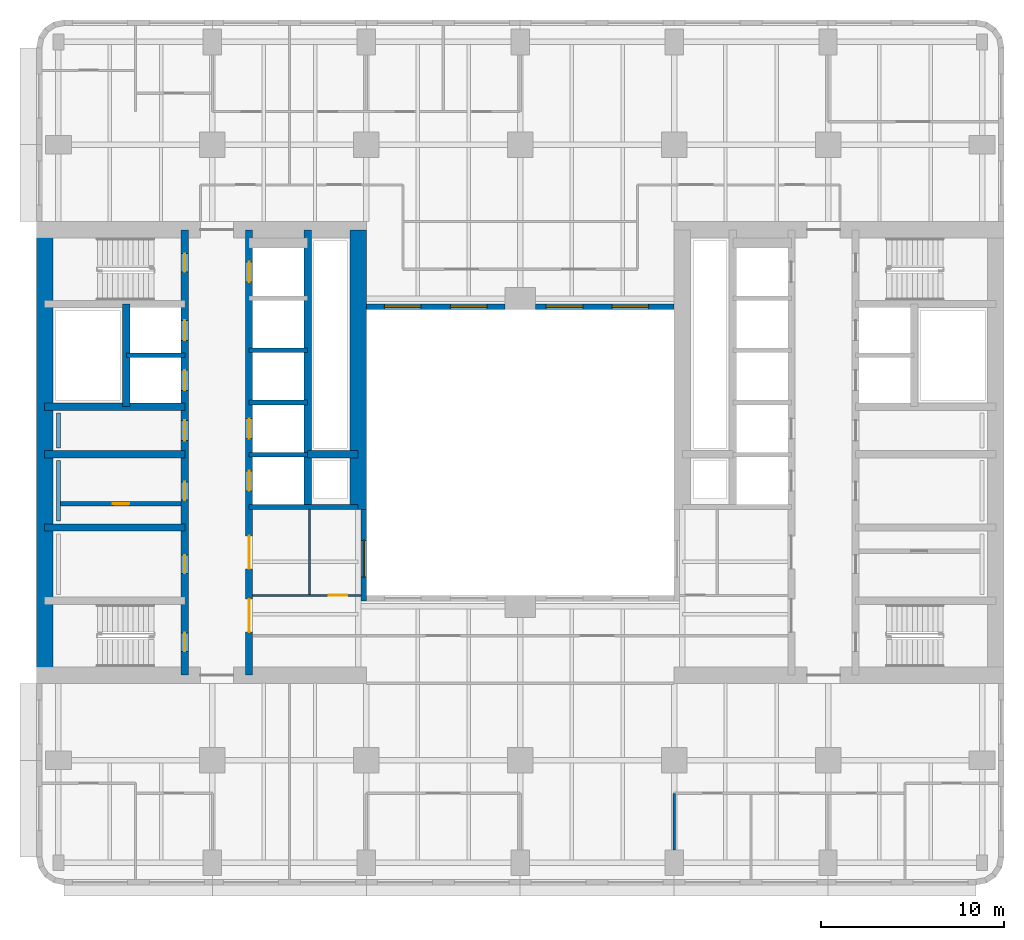
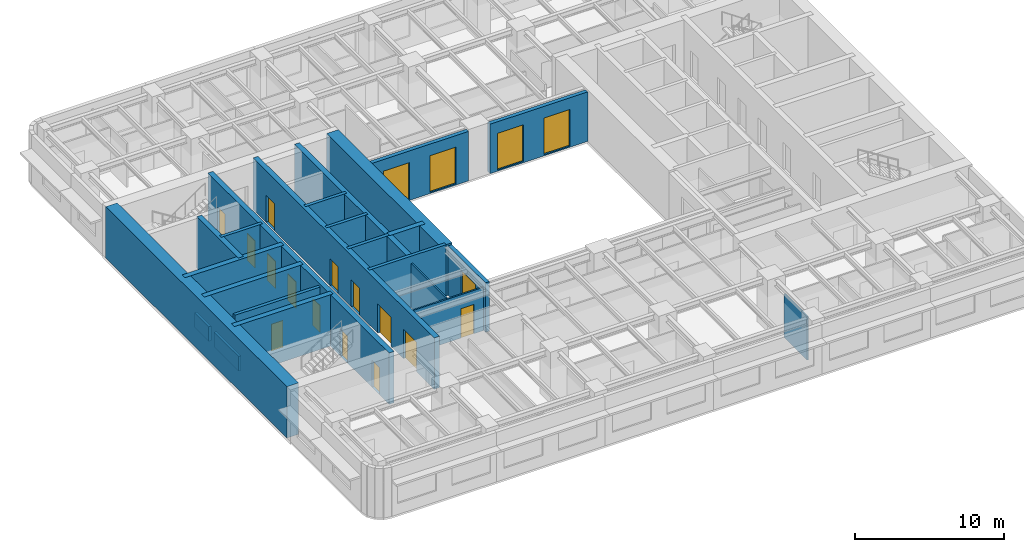
# One storey, part 4 of 11: 24 walls, 14 doors, 5 windows, 19 openings.
"""IFC4 building model written with IfcOpenShell, lengths in metres."""

from ifc_helpers import new_model, si_unit, direction, frame, frame_2d, origin, place, context, subcontext, project, spatial, rectangle, extrude, material, layer, layer_set, type_object, element, fill, save


model = new_model("IFC4")

# Units and contexts
model_context = context("Model", 3, precision=1e-05, world=origin(), true_north=direction((0.0, 1.0)))
body_context = subcontext(model_context, "Body", "Model", "MODEL_VIEW")
ifc_project = project(units=[si_unit("LENGTHUNIT", "METRE"), si_unit("AREAUNIT", "SQUARE_METRE"), si_unit("VOLUMEUNIT", "CUBIC_METRE"), si_unit("PLANEANGLEUNIT", "RADIAN"), si_unit("MASSUNIT", "GRAM", prefix="KILO")], contexts=[model_context])

# Site, building, storey
site_placement = place(None, origin())
site = spatial("IfcSite", under=ifc_project, at=site_placement, CompositionType="ELEMENT")
building_placement = place(site_placement, origin())
building = spatial("IfcBuilding", under=site, at=building_placement, Name="Claustro Exchange Tower", CompositionType="ELEMENT")
storey_placement = place(building_placement, frame((0.0, 0.0, 130.199951171875)))
storey = spatial("IfcBuildingStorey", under=building, at=storey_placement, Name="L29", CompositionType="ELEMENT", Elevation=130.199951171875)

# Wall, opening, door
ifc_material_1 = material(Name="Laminated glass in aluminium frame", Category="aluminium")
ifc_layer_1 = layer(ifc_material_1, 0.1201171875)
ifc_layer_set_1 = layer_set([ifc_layer_1], Name="Laminated glass in aluminium frame")
wall_type_1 = type_object("IfcWallType", Name="P2 120 glazed partition", PredefinedType="PARTITIONING", material=ifc_layer_set_1)
wall_1_placement = place(storey_placement, frame((10.597900390625, 17.39990234375, 0.0), z_axis=(0.0, 0.0, 1.0), x_axis=(1.0, 0.0, 0.0)))
wall_1 = element("IfcWall", 1, at=wall_1_placement, inside=storey, type_object=wall_type_1, Name="Partition P2 L29", PredefinedType="PARTITIONING", context=body_context, shape_type="SweptSolid", body=[
    extrude(rectangle(XDim=5.904052734375, YDim=0.1201171875, at=frame_2d((2.9521484375, 0.0))), origin(), (0.0, 0.0, 1.0), 3.550048828125),
])
opening_1_placement = place(wall_1_placement, frame((4.152099609375, 0.0, 0.0)))
opening_1 = element("IfcOpeningElement", 2, at=opening_1_placement, cuts=wall_1, Name="Opening D7", PredefinedType="OPENING", context=body_context, shape_type="SweptSolid", body=[
    extrude(rectangle(XDim=1.0, YDim=2.39990234375, at=frame_2d((0.5, 1.199951171875))), frame((0.0, 0.070068359375, 0.0), z_axis=(0.0, -1.0, 0.0), x_axis=(1.0, 0.0, 0.0)), (0.0, 0.0, 1.0), 0.14013671875),
])
ifc_material_2 = material(Name="Glass door in aluminium frame", Category="aluminium")
door_type_1 = type_object("IfcDoorType", Name="D7 1000 x 2400 glazed door", OperationType="SINGLE_SWING_LEFT", PredefinedType="DOOR", material=ifc_material_2)
door_1_placement = place(opening_1_placement, origin())
door_1 = element("IfcDoor", 3, at=door_1_placement, inside=storey, type_object=door_type_1, Name="Door D7 L29", OperationType="SINGLE_SWING_RIGHT", OverallHeight=2.39990234375, OverallWidth=1.0, PredefinedType="DOOR", context=body_context, shape_type="SweptSolid", body=[
    extrude(rectangle(XDim=1.0, YDim=2.39990234375, at=frame_2d((0.5, 1.199951171875))), frame((0.0, 0.02490234375, 0.0), z_axis=(0.0, -1.0, 0.0), x_axis=(1.0, 0.0, 0.0)), (0.0, 0.0, 1.0), 0.050048828125),
])
fill(opening_1, door_1)

# Walls
wall_2_placement = place(storey_placement, frame((13.699951171875, 17.4580078125, 0.0), z_axis=(0.0, 0.0, 1.0), x_axis=(0.0, 1.0, 0.0)))
element("IfcWall", 4, at=wall_2_placement, inside=storey, type_object=wall_type_1, Name="Partition P2 L29", PredefinedType="PARTITIONING", context=body_context, shape_type="SweptSolid", body=[
    extrude(rectangle(XDim=4.64404296875, YDim=0.1201171875, at=frame_2d((2.322021484375, 0.0))), origin(), (0.0, 0.0, 1.0), 3.60009765625),
])
wall_3_placement = place(storey_placement, frame((33.60009765625, 3.4990234375, 0.0), z_axis=(0.0, 0.0, 1.0), x_axis=(0.0, 1.0, 0.0)))
element("IfcWall", 5, at=wall_3_placement, inside=storey, type_object=wall_type_1, Name="Partition P2 L29", PredefinedType="PARTITIONING", context=body_context, shape_type="SweptSolid", body=[
    extrude(rectangle(XDim=3.10107421875, YDim=0.1201171875, at=frame_2d((1.550537109375, 0.0))), origin(), (0.0, 0.0, 1.0), 3.550048828125),
])

# Wall, opening, door
ifc_material_3 = material(Name="Concrete blockwork, rendered", Category="masonry")
ifc_layer_2 = layer(ifc_material_3, 0.25)
ifc_layer_set_2 = layer_set([ifc_layer_2], Name="Concrete blockwork, rendered")
wall_type_2 = type_object("IfcWallType", Name="P4 250 blockwork wall", PredefinedType="PARTITIONING", material=ifc_layer_set_2)
wall_4_placement = place(storey_placement, frame((0.10009765625, 22.39990234375, 0.0), z_axis=(0.0, 0.0, 1.0), x_axis=(1.0, 0.0, 0.0)))
wall_4 = element("IfcWall", 6, at=wall_4_placement, inside=storey, type_object=wall_type_2, Name="Partition P4 L29", PredefinedType="PARTITIONING", context=body_context, shape_type="SweptSolid", body=[
    extrude(rectangle(XDim=6.599853515625, YDim=0.25, at=frame_2d((3.2998046875, 0.0))), origin(), (0.0, 0.0, 1.0), 4.0),
])
opening_2_placement = place(wall_4_placement, frame((2.875, 0.0, 0.0)))
opening_2 = element("IfcOpeningElement", 7, at=opening_2_placement, cuts=wall_4, Name="Opening D5", PredefinedType="OPENING", context=body_context, shape_type="SweptSolid", body=[
    extrude(rectangle(XDim=0.89990234375, YDim=2.199951171875, at=frame_2d((0.449951171875, 1.10009765625))), frame((0.0, 0.135009765625, 0.0), z_axis=(0.0, -1.0, 0.0), x_axis=(1.0, 0.0, 0.0)), (0.0, 0.0, 1.0), 0.27001953125),
])
ifc_material_4 = material(Name="Steel door, painted", Category="steel")
door_type_2 = type_object("IfcDoorType", Name="D5 900 x 2200 store door", OperationType="SINGLE_SWING_LEFT", PredefinedType="DOOR", material=ifc_material_4)
door_2_placement = place(opening_2_placement, frame((0.89990234375, 0.0, 0.0), z_axis=(0.0, 0.0, 1.0), x_axis=(-1.0, 0.0, 0.0)))
door_2 = element("IfcDoor", 8, at=door_2_placement, inside=storey, type_object=door_type_2, Name="Store door D5 L29", OperationType="SINGLE_SWING_RIGHT", OverallHeight=2.199951171875, OverallWidth=0.89990234375, PredefinedType="DOOR", context=body_context, shape_type="SweptSolid", body=[
    extrude(rectangle(XDim=0.89990234375, YDim=2.199951171875, at=frame_2d((0.449951171875, 1.10009765625))), frame((0.0, 0.02490234375, 0.0), z_axis=(0.0, -1.0, 0.0), x_axis=(1.0, 0.0, 0.0)), (0.0, 0.0, 1.0), 0.050048828125),
])
fill(opening_2, door_2)

# Wall, opening, window
ifc_material_5 = material(Name="Concrete HA-40 (C40/50), precast, white cement, acid-etched", Category="concrete")
ifc_layer_3 = layer(ifc_material_5, 0.300048828125)
ifc_layer_set_3 = layer_set([ifc_layer_3], Name="Concrete HA-40 (C40/50), precast, white cement, acid-etched")
wall_type_3 = type_object("IfcWallType", Name="PC1 300 precast concrete pier panel", PredefinedType="SOLIDWALL", material=ifc_layer_set_3)
wall_5_placement = place(storey_placement, frame((16.64990234375, 17.10009765625, 0.0), z_axis=(0.0, 0.0, 1.0), x_axis=(0.0, 1.0, 0.0)))
wall_5 = element("IfcWall", 9, at=wall_5_placement, inside=storey, type_object=wall_type_3, Name="Precast pier panel PC1 L29", PredefinedType="SOLIDWALL", context=body_context, shape_type="SweptSolid", body=[
    extrude(rectangle(XDim=5.0, YDim=0.300048828125, at=frame_2d((2.5, 0.0))), origin(), (0.0, 0.0, 1.0), 4.050048828125),
])
opening_3_placement = place(wall_5_placement, frame((1.300048828125, 0.0, 0.10009765625)))
opening_3 = element("IfcOpeningElement", 10, at=opening_3_placement, cuts=wall_5, Name="Opening W-A", PredefinedType="OPENING", context=body_context, shape_type="SweptSolid", body=[
    extrude(rectangle(XDim=2.0, YDim=3.0, at=frame_2d((1.0, 1.5))), frame((0.0, 0.159912109375, 0.0), z_axis=(0.0, -1.0, 0.0), x_axis=(1.0, 0.0, 0.0)), (0.0, 0.0, 1.0), 0.320068359375),
])
ifc_material_6 = material(Name="Aluminium frame, clear double glazing", Category="aluminium")
window_type = type_object("IfcWindowType", Name="W-A 2000 x 3000 arcade window", PartitioningType="SINGLE_PANEL", PredefinedType="WINDOW", material=ifc_material_6)
window_1_placement = place(opening_3_placement, origin())
window_1 = element("IfcWindow", 11, at=window_1_placement, inside=storey, type_object=window_type, Name="Window W-A L29", OverallHeight=3.0, OverallWidth=2.0, PartitioningType="SINGLE_PANEL", PredefinedType="WINDOW", context=body_context, shape_type="SweptSolid", body=[
    extrude(rectangle(XDim=2.0, YDim=3.0, at=frame_2d((1.0, 1.5))), frame((0.0, 0.030029296875, 0.0), z_axis=(0.0, -1.0, 0.0), x_axis=(1.0, 0.0, 0.0)), (0.0, 0.0, 1.0), 0.06005859375),
])
fill(opening_3, window_1)

# Wall, openings, windows
wall_6_placement = place(storey_placement, frame((16.800048828125, 33.14990234375, 0.0), z_axis=(0.0, 0.0, 1.0), x_axis=(1.0, 0.0, 0.0)))
wall_6 = element("IfcWall", 12, at=wall_6_placement, inside=storey, type_object=wall_type_3, Name="Precast pier panel PC1 L29", PredefinedType="SOLIDWALL", context=body_context, shape_type="SweptSolid", body=[
    extrude(rectangle(XDim=7.574951171875, YDim=0.300048828125, at=frame_2d((3.78759765625, 0.0))), origin(), (0.0, 0.0, 1.0), 4.050048828125),
])
opening_4_placement = place(wall_6_placement, frame((0.987548828125, 0.0, 0.10009765625)))
opening_4 = element("IfcOpeningElement", 13, at=opening_4_placement, cuts=wall_6, Name="Opening W-A", PredefinedType="OPENING", context=body_context, shape_type="SweptSolid", body=[
    extrude(rectangle(XDim=2.0, YDim=3.0, at=frame_2d((1.0, 1.5))), frame((0.0, 0.159912109375, 0.0), z_axis=(0.0, -1.0, 0.0), x_axis=(1.0, 0.0, 0.0)), (0.0, 0.0, 1.0), 0.320068359375),
])
opening_5_placement = place(wall_6_placement, frame((4.58740234375, 0.0, 0.10009765625)))
opening_5 = element("IfcOpeningElement", 14, at=opening_5_placement, cuts=wall_6, Name="Opening W-A", PredefinedType="OPENING", context=body_context, shape_type="SweptSolid", body=[
    extrude(rectangle(XDim=2.0, YDim=3.0, at=frame_2d((1.0, 1.5))), frame((0.0, 0.159912109375, 0.0), z_axis=(0.0, -1.0, 0.0), x_axis=(1.0, 0.0, 0.0)), (0.0, 0.0, 1.0), 0.320068359375),
])
window_2_placement = place(opening_4_placement, origin())
window_2 = element("IfcWindow", 15, at=window_2_placement, inside=storey, type_object=window_type, Name="Window W-A L29", OverallHeight=3.0, OverallWidth=2.0, PartitioningType="SINGLE_PANEL", PredefinedType="WINDOW", context=body_context, shape_type="SweptSolid", body=[
    extrude(rectangle(XDim=2.0, YDim=3.0, at=frame_2d((1.0, 1.5))), frame((0.0, 0.030029296875, 0.0), z_axis=(0.0, -1.0, 0.0), x_axis=(1.0, 0.0, 0.0)), (0.0, 0.0, 1.0), 0.06005859375),
])
fill(opening_4, window_2)
window_3_placement = place(opening_5_placement, origin())
window_3 = element("IfcWindow", 16, at=window_3_placement, inside=storey, type_object=window_type, Name="Window W-A L29", OverallHeight=3.0, OverallWidth=2.0, PartitioningType="SINGLE_PANEL", PredefinedType="WINDOW", context=body_context, shape_type="SweptSolid", body=[
    extrude(rectangle(XDim=2.0, YDim=3.0, at=frame_2d((1.0, 1.5))), frame((0.0, 0.030029296875, 0.0), z_axis=(0.0, -1.0, 0.0), x_axis=(1.0, 0.0, 0.0)), (0.0, 0.0, 1.0), 0.06005859375),
])
fill(opening_5, window_3)

wall_7_placement = place(storey_placement, frame((26.02490234375, 33.14990234375, 0.0), z_axis=(0.0, 0.0, 1.0), x_axis=(1.0, 0.0, 0.0)))
wall_7 = element("IfcWall", 17, at=wall_7_placement, inside=storey, type_object=wall_type_3, Name="Precast pier panel PC1 L29", PredefinedType="SOLIDWALL", context=body_context, shape_type="SweptSolid", body=[
    extrude(rectangle(XDim=7.5751953125, YDim=0.300048828125, at=frame_2d((3.78759765625, 0.0))), origin(), (0.0, 0.0, 1.0), 4.050048828125),
])
opening_6_placement = place(wall_7_placement, frame((0.58740234375, 0.0, 0.10009765625)))
opening_6 = element("IfcOpeningElement", 18, at=opening_6_placement, cuts=wall_7, Name="Opening W-A", PredefinedType="OPENING", context=body_context, shape_type="SweptSolid", body=[
    extrude(rectangle(XDim=2.0, YDim=3.0, at=frame_2d((1.0, 1.5))), frame((0.0, 0.159912109375, 0.0), z_axis=(0.0, -1.0, 0.0), x_axis=(1.0, 0.0, 0.0)), (0.0, 0.0, 1.0), 0.320068359375),
])
opening_7_placement = place(wall_7_placement, frame((4.1875, 0.0, 0.10009765625)))
opening_7 = element("IfcOpeningElement", 19, at=opening_7_placement, cuts=wall_7, Name="Opening W-A", PredefinedType="OPENING", context=body_context, shape_type="SweptSolid", body=[
    extrude(rectangle(XDim=2.0, YDim=3.0, at=frame_2d((1.0, 1.5))), frame((0.0, 0.159912109375, 0.0), z_axis=(0.0, -1.0, 0.0), x_axis=(1.0, 0.0, 0.0)), (0.0, 0.0, 1.0), 0.320068359375),
])
window_4_placement = place(opening_6_placement, origin())
window_4 = element("IfcWindow", 20, at=window_4_placement, inside=storey, type_object=window_type, Name="Window W-A L29", OverallHeight=3.0, OverallWidth=2.0, PartitioningType="SINGLE_PANEL", PredefinedType="WINDOW", context=body_context, shape_type="SweptSolid", body=[
    extrude(rectangle(XDim=2.0, YDim=3.0, at=frame_2d((1.0, 1.5))), frame((0.0, 0.030029296875, 0.0), z_axis=(0.0, -1.0, 0.0), x_axis=(1.0, 0.0, 0.0)), (0.0, 0.0, 1.0), 0.06005859375),
])
fill(opening_6, window_4)
window_5_placement = place(opening_7_placement, origin())
window_5 = element("IfcWindow", 21, at=window_5_placement, inside=storey, type_object=window_type, Name="Window W-A L29", OverallHeight=3.0, OverallWidth=2.0, PartitioningType="SINGLE_PANEL", PredefinedType="WINDOW", context=body_context, shape_type="SweptSolid", body=[
    extrude(rectangle(XDim=2.0, YDim=3.0, at=frame_2d((1.0, 1.5))), frame((0.0, 0.030029296875, 0.0), z_axis=(0.0, -1.0, 0.0), x_axis=(1.0, 0.0, 0.0)), (0.0, 0.0, 1.0), 0.06005859375),
])
fill(opening_7, window_5)

# Walls
ifc_material_7 = material(Name="Gypsum board on steel studs, tiled", Category="steel")
ifc_layer_4 = layer(ifc_material_7, 0.199951171875)
ifc_layer_set_4 = layer_set([ifc_layer_4], Name="Gypsum board on steel studs, tiled")
wall_type_4 = type_object("IfcWallType", Name="PW1 200 WC duct wall", PredefinedType="PLUMBINGWALL", material=ifc_layer_set_4)
wall_8_placement = place(storey_placement, frame((0.0, 21.449951171875, 0.0), z_axis=(0.0, 0.0, 1.0), x_axis=(0.0, 1.0, 0.0)))
element("IfcWall", 22, at=wall_8_placement, inside=storey, type_object=wall_type_4, Name="WC duct wall PW1 L29", PredefinedType="PLUMBINGWALL", context=body_context, shape_type="SweptSolid", body=[
    extrude(rectangle(XDim=3.300048828125, YDim=0.199951171875, at=frame_2d((1.64990234375, 0.0))), origin(), (0.0, 0.0, 1.0), 1.199951171875),
])
wall_9_placement = place(storey_placement, frame((0.0, 25.449951171875, 0.0), z_axis=(0.0, 0.0, 1.0), x_axis=(0.0, 1.0, 0.0)))
element("IfcWall", 23, at=wall_9_placement, inside=storey, type_object=wall_type_4, Name="WC duct wall PW1 L29", PredefinedType="PLUMBINGWALL", context=body_context, shape_type="SweptSolid", body=[
    extrude(rectangle(XDim=1.900146484375, YDim=0.199951171875, at=frame_2d((0.9501953125, 0.0))), origin(), (0.0, 0.0, 1.0), 1.199951171875),
])
ifc_material_8 = material(Name="Concrete HA-70 (C70/85)", Category="concrete")
ifc_layer_5 = layer(ifc_material_8, 0.89990234375)
ifc_layer_set_5 = layer_set([ifc_layer_5], Name="Concrete HA-70 (C70/85)")
wall_type_5 = type_object("IfcWallType", Name="SW1X 900 exposed core shear wall, board-marked face", PredefinedType="SHEAR", material=ifc_layer_set_5)
wall_10_placement = place(storey_placement, frame((-0.75, 13.050048828125, 0.0), z_axis=(0.0, 0.0, 1.0), x_axis=(0.0, 1.0, 0.0)))
element("IfcWall", 24, at=wall_10_placement, inside=storey, type_object=wall_type_5, Name="Core wall SW1X W core W face L29", PredefinedType="SHEAR", context=body_context, shape_type="SweptSolid", body=[
    extrude(rectangle(XDim=24.300048828125, YDim=0.89990234375, at=frame_2d((12.14990234375, 0.0))), origin(), (0.0, 0.0, 1.0), 4.199951171875),
])
wall_11_placement = place(storey_placement, frame((16.35009765625, 22.10009765625, 0.0), z_axis=(0.0, 0.0, 1.0), x_axis=(0.0, 1.0, 0.0)))
element("IfcWall", 25, at=wall_11_placement, inside=storey, type_object=wall_type_5, Name="Core wall SW1X W core E face L29", PredefinedType="SHEAR", context=body_context, shape_type="SweptSolid", body=[
    extrude(rectangle(XDim=15.25, YDim=0.89990234375, at=frame_2d((7.625, 0.0))), origin(), (0.0, 0.0, 1.0), 4.199951171875),
])

# Wall, openings, doors
ifc_material_9 = material(Name="Concrete HA-50 (C50/60)", Category="concrete")
ifc_layer_6 = layer(ifc_material_9, 0.39990234375)
ifc_layer_set_6 = layer_set([ifc_layer_6], Name="Concrete HA-50 (C50/60)")
wall_type_6 = type_object("IfcWallType", Name="SW4 400 internal core wall", PredefinedType="SHEAR", material=ifc_layer_set_6)
wall_12_placement = place(storey_placement, frame((6.89990234375, 13.050048828125, 0.0), z_axis=(0.0, 0.0, 1.0), x_axis=(0.0, 1.0, 0.0)))
wall_12 = element("IfcWall", 26, at=wall_12_placement, inside=storey, type_object=wall_type_6, Name="Internal core wall SW4 W core L29", PredefinedType="SHEAR", context=body_context, shape_type="SweptSolid", body=[
    extrude(rectangle(XDim=24.300048828125, YDim=0.39990234375, at=frame_2d((12.14990234375, 0.0))), origin(), (0.0, 0.0, 1.0), 4.199951171875),
])
opening_8_placement = place(wall_12_placement, frame((1.300048828125, 0.0, 0.0)))
opening_8 = element("IfcOpeningElement", 27, at=opening_8_placement, cuts=wall_12, Name="Opening D4", PredefinedType="OPENING", context=body_context, shape_type="SweptSolid", body=[
    extrude(rectangle(XDim=1.0, YDim=2.199951171875, at=frame_2d((0.5, 1.10009765625))), frame((0.0, 0.2099609375, 0.0), z_axis=(0.0, -1.0, 0.0), x_axis=(1.0, 0.0, 0.0)), (0.0, 0.0, 1.0), 0.419921875),
])
opening_9_placement = place(wall_12_placement, frame((22.0, 0.0, 0.0)))
opening_9 = element("IfcOpeningElement", 28, at=opening_9_placement, cuts=wall_12, Name="Opening D4", PredefinedType="OPENING", context=body_context, shape_type="SweptSolid", body=[
    extrude(rectangle(XDim=1.0, YDim=2.199951171875, at=frame_2d((0.5, 1.10009765625))), frame((0.0, 0.2099609375, 0.0), z_axis=(0.0, -1.0, 0.0), x_axis=(1.0, 0.0, 0.0)), (0.0, 0.0, 1.0), 0.419921875),
])
opening_10_placement = place(wall_12_placement, frame((5.550048828125, 0.0, 0.0)))
opening_10 = element("IfcOpeningElement", 29, at=opening_10_placement, cuts=wall_12, Name="Opening D1", PredefinedType="OPENING", context=body_context, shape_type="SweptSolid", body=[
    extrude(rectangle(XDim=1.0, YDim=2.199951171875, at=frame_2d((0.5, 1.10009765625))), frame((0.0, 0.2099609375, 0.0), z_axis=(0.0, -1.0, 0.0), x_axis=(1.0, 0.0, 0.0)), (0.0, 0.0, 1.0), 0.419921875),
])
opening_11_placement = place(wall_12_placement, frame((9.550048828125, 0.0, 0.0)))
opening_11 = element("IfcOpeningElement", 30, at=opening_11_placement, cuts=wall_12, Name="Opening D1", PredefinedType="OPENING", context=body_context, shape_type="SweptSolid", body=[
    extrude(rectangle(XDim=1.0, YDim=2.199951171875, at=frame_2d((0.5, 1.10009765625))), frame((0.0, 0.2099609375, 0.0), z_axis=(0.0, -1.0, 0.0), x_axis=(1.0, 0.0, 0.0)), (0.0, 0.0, 1.0), 0.419921875),
])
opening_12_placement = place(wall_12_placement, frame((12.800048828125, 0.0, 0.0)))
opening_12 = element("IfcOpeningElement", 31, at=opening_12_placement, cuts=wall_12, Name="Opening D10", PredefinedType="OPENING", context=body_context, shape_type="SweptSolid", body=[
    extrude(rectangle(XDim=1.10009765625, YDim=2.199951171875, at=frame_2d((0.550048828125, 1.10009765625))), frame((0.0, 0.2099609375, 0.0), z_axis=(0.0, -1.0, 0.0), x_axis=(1.0, 0.0, 0.0)), (0.0, 0.0, 1.0), 0.419921875),
])
opening_13_placement = place(wall_12_placement, frame((15.53759765625, 0.0, 0.0)))
opening_13 = element("IfcOpeningElement", 32, at=opening_13_placement, cuts=wall_12, Name="Opening LD", PredefinedType="OPENING", context=body_context, shape_type="SweptSolid", body=[
    extrude(rectangle(XDim=1.10009765625, YDim=2.199951171875, at=frame_2d((0.550048828125, 1.10009765625))), frame((0.0, 0.2099609375, 0.0), z_axis=(0.0, -1.0, 0.0), x_axis=(1.0, 0.0, 0.0)), (0.0, 0.0, 1.0), 0.419921875),
])
opening_14_placement = place(wall_12_placement, frame((18.262451171875, 0.0, 0.0)))
opening_14 = element("IfcOpeningElement", 33, at=opening_14_placement, cuts=wall_12, Name="Opening LD", PredefinedType="OPENING", context=body_context, shape_type="SweptSolid", body=[
    extrude(rectangle(XDim=1.10009765625, YDim=2.199951171875, at=frame_2d((0.550048828125, 1.10009765625))), frame((0.0, 0.2099609375, 0.0), z_axis=(0.0, -1.0, 0.0), x_axis=(1.0, 0.0, 0.0)), (0.0, 0.0, 1.0), 0.419921875),
])
ifc_material_10 = material(Name="Timber door, oak veneer", Category="wood")
door_type_3 = type_object("IfcDoorType", Name="D1 1000 x 2200 single door", OperationType="SINGLE_SWING_LEFT", PredefinedType="DOOR", material=ifc_material_10)
door_3_placement = place(opening_10_placement, origin())
door_3 = element("IfcDoor", 34, at=door_3_placement, inside=storey, type_object=door_type_3, Name="Door D1 L29", OperationType="SINGLE_SWING_RIGHT", OverallHeight=2.199951171875, OverallWidth=1.0, PredefinedType="DOOR", context=body_context, shape_type="SweptSolid", body=[
    extrude(rectangle(XDim=1.0, YDim=2.199951171875, at=frame_2d((0.5, 1.10009765625))), frame((0.0, 0.02490234375, 0.0), z_axis=(0.0, -1.0, 0.0), x_axis=(1.0, 0.0, 0.0)), (0.0, 0.0, 1.0), 0.050048828125),
])
fill(opening_10, door_3)
door_4_placement = place(opening_11_placement, origin())
door_4 = element("IfcDoor", 35, at=door_4_placement, inside=storey, type_object=door_type_3, Name="Door D1 L29", OperationType="SINGLE_SWING_LEFT", OverallHeight=2.199951171875, OverallWidth=1.0, PredefinedType="DOOR", context=body_context, shape_type="SweptSolid", body=[
    extrude(rectangle(XDim=1.0, YDim=2.199951171875, at=frame_2d((0.5, 1.10009765625))), frame((0.0, 0.02490234375, 0.0), z_axis=(0.0, -1.0, 0.0), x_axis=(1.0, 0.0, 0.0)), (0.0, 0.0, 1.0), 0.050048828125),
])
fill(opening_11, door_4)
ifc_material_11 = material(Name="Timber door, oak veneer", Category="wood")
door_type_4 = type_object("IfcDoorType", Name="D10 1100 x 2200 accessible WC door", OperationType="SINGLE_SWING_LEFT", PredefinedType="DOOR", material=ifc_material_11)
door_5_placement = place(opening_12_placement, frame((1.10009765625, 0.0, 0.0), z_axis=(0.0, 0.0, 1.0), x_axis=(-1.0, 0.0, 0.0)))
door_5 = element("IfcDoor", 36, at=door_5_placement, inside=storey, type_object=door_type_4, Name="Accessible WC door D10 L29", OperationType="SINGLE_SWING_LEFT", OverallHeight=2.199951171875, OverallWidth=1.10009765625, PredefinedType="DOOR", context=body_context, shape_type="SweptSolid", body=[
    extrude(rectangle(XDim=1.10009765625, YDim=2.199951171875, at=frame_2d((0.550048828125, 1.10009765625))), frame((0.0, 0.02490234375, 0.0), z_axis=(0.0, -1.0, 0.0), x_axis=(1.0, 0.0, 0.0)), (0.0, 0.0, 1.0), 0.050048828125),
])
fill(opening_12, door_5)
ifc_material_12 = material(Name="Steel fire door, painted", Category="steel")
door_type_5 = type_object("IfcDoorType", Name="D4 1000 x 2200 fire-rated stair door", OperationType="SINGLE_SWING_LEFT", PredefinedType="DOOR", material=ifc_material_12)
door_6_placement = place(opening_8_placement, origin())
door_6 = element("IfcDoor", 37, at=door_6_placement, inside=storey, type_object=door_type_5, Name="Stair door D4 L29", OperationType="SINGLE_SWING_LEFT", OverallHeight=2.199951171875, OverallWidth=1.0, PredefinedType="DOOR", context=body_context, shape_type="SweptSolid", body=[
    extrude(rectangle(XDim=1.0, YDim=2.199951171875, at=frame_2d((0.5, 1.10009765625))), frame((0.0, 0.02490234375, 0.0), z_axis=(0.0, -1.0, 0.0), x_axis=(1.0, 0.0, 0.0)), (0.0, 0.0, 1.0), 0.050048828125),
])
fill(opening_8, door_6)
door_7_placement = place(opening_9_placement, origin())
door_7 = element("IfcDoor", 38, at=door_7_placement, inside=storey, type_object=door_type_5, Name="Stair door D4 L29", OperationType="SINGLE_SWING_RIGHT", OverallHeight=2.199951171875, OverallWidth=1.0, PredefinedType="DOOR", context=body_context, shape_type="SweptSolid", body=[
    extrude(rectangle(XDim=1.0, YDim=2.199951171875, at=frame_2d((0.5, 1.10009765625))), frame((0.0, 0.02490234375, 0.0), z_axis=(0.0, -1.0, 0.0), x_axis=(1.0, 0.0, 0.0)), (0.0, 0.0, 1.0), 0.050048828125),
])
fill(opening_9, door_7)
ifc_material_13 = material(Name="Stainless steel sliding door", Category="steel")
door_type_6 = type_object("IfcDoorType", Name="LD 1100 x 2200 lift landing door", OperationType="DOUBLE_DOOR_SLIDING", PredefinedType="DOOR", material=ifc_material_13)
door_8_placement = place(opening_13_placement, origin())
door_8 = element("IfcDoor", 39, at=door_8_placement, inside=storey, type_object=door_type_6, Name="Lift landing door LEW1 LD L29", OperationType="DOUBLE_DOOR_SLIDING", OverallHeight=2.199951171875, OverallWidth=1.10009765625, PredefinedType="DOOR", context=body_context, shape_type="SweptSolid", body=[
    extrude(rectangle(XDim=1.10009765625, YDim=2.199951171875, at=frame_2d((0.550048828125, 1.10009765625))), frame((0.0, 0.02490234375, 0.0), z_axis=(0.0, -1.0, 0.0), x_axis=(1.0, 0.0, 0.0)), (0.0, 0.0, 1.0), 0.050048828125),
])
fill(opening_13, door_8)
door_9_placement = place(opening_14_placement, origin())
door_9 = element("IfcDoor", 40, at=door_9_placement, inside=storey, type_object=door_type_6, Name="Lift landing door LEW2 LD L29", OperationType="DOUBLE_DOOR_SLIDING", OverallHeight=2.199951171875, OverallWidth=1.10009765625, PredefinedType="DOOR", context=body_context, shape_type="SweptSolid", body=[
    extrude(rectangle(XDim=1.10009765625, YDim=2.199951171875, at=frame_2d((0.550048828125, 1.10009765625))), frame((0.0, 0.02490234375, 0.0), z_axis=(0.0, -1.0, 0.0), x_axis=(1.0, 0.0, 0.0)), (0.0, 0.0, 1.0), 0.050048828125),
])
fill(opening_14, door_9)

wall_13_placement = place(storey_placement, frame((10.39990234375, 13.050048828125, 0.0), z_axis=(0.0, 0.0, 1.0), x_axis=(0.0, 1.0, 0.0)))
wall_13 = element("IfcWall", 41, at=wall_13_placement, inside=storey, type_object=wall_type_6, Name="Internal core wall SW4 W core L29", PredefinedType="SHEAR", context=body_context, shape_type="SweptSolid", body=[
    extrude(rectangle(XDim=24.300048828125, YDim=0.39990234375, at=frame_2d((12.14990234375, 0.0))), origin(), (0.0, 0.0, 1.0), 4.199951171875),
])
opening_15_placement = place(wall_13_placement, frame((10.050048828125, 0.0, 0.0)))
opening_15 = element("IfcOpeningElement", 42, at=opening_15_placement, cuts=wall_13, Name="Opening LD", PredefinedType="OPENING", context=body_context, shape_type="SweptSolid", body=[
    extrude(rectangle(XDim=1.10009765625, YDim=2.199951171875, at=frame_2d((0.550048828125, 1.10009765625))), frame((0.0, 0.2099609375, 0.0), z_axis=(0.0, -1.0, 0.0), x_axis=(1.0, 0.0, 0.0)), (0.0, 0.0, 1.0), 0.419921875),
])
opening_16_placement = place(wall_13_placement, frame((12.89990234375, 0.0, 0.0)))
opening_16 = element("IfcOpeningElement", 43, at=opening_16_placement, cuts=wall_13, Name="Opening LD", PredefinedType="OPENING", context=body_context, shape_type="SweptSolid", body=[
    extrude(rectangle(XDim=1.10009765625, YDim=2.199951171875, at=frame_2d((0.550048828125, 1.10009765625))), frame((0.0, 0.2099609375, 0.0), z_axis=(0.0, -1.0, 0.0), x_axis=(1.0, 0.0, 0.0)), (0.0, 0.0, 1.0), 0.419921875),
])
opening_17_placement = place(wall_13_placement, frame((21.449951171875, 0.0, 0.0)))
opening_17 = element("IfcOpeningElement", 44, at=opening_17_placement, cuts=wall_13, Name="Opening LD", PredefinedType="OPENING", context=body_context, shape_type="SweptSolid", body=[
    extrude(rectangle(XDim=1.10009765625, YDim=2.199951171875, at=frame_2d((0.550048828125, 1.10009765625))), frame((0.0, 0.2099609375, 0.0), z_axis=(0.0, -1.0, 0.0), x_axis=(1.0, 0.0, 0.0)), (0.0, 0.0, 1.0), 0.419921875),
])
opening_18_placement = place(wall_13_placement, frame((2.35009765625, 0.0, 0.0)))
opening_18 = element("IfcOpeningElement", 45, at=opening_18_placement, cuts=wall_13, Name="Opening D3", PredefinedType="OPENING", context=body_context, shape_type="SweptSolid", body=[
    extrude(rectangle(XDim=1.800048828125, YDim=2.39990234375, at=frame_2d((0.89990234375, 1.199951171875))), frame((0.0, 0.2099609375, 0.0), z_axis=(0.0, -1.0, 0.0), x_axis=(1.0, 0.0, 0.0)), (0.0, 0.0, 1.0), 0.419921875),
])
opening_19_placement = place(wall_13_placement, frame((5.800048828125, 0.0, 0.0)))
opening_19 = element("IfcOpeningElement", 46, at=opening_19_placement, cuts=wall_13, Name="Opening D3", PredefinedType="OPENING", context=body_context, shape_type="SweptSolid", body=[
    extrude(rectangle(XDim=1.800048828125, YDim=2.39990234375, at=frame_2d((0.89990234375, 1.199951171875))), frame((0.0, 0.2099609375, 0.0), z_axis=(0.0, -1.0, 0.0), x_axis=(1.0, 0.0, 0.0)), (0.0, 0.0, 1.0), 0.419921875),
])
ifc_material_14 = material(Name="Steel fire door, painted", Category="steel")
door_type_7 = type_object("IfcDoorType", Name="D3 1800 x 2400 fire-rated lobby double door", OperationType="DOUBLE_DOOR_SINGLE_SWING", PredefinedType="DOOR", material=ifc_material_14)
door_10_placement = place(opening_18_placement, origin())
door_10 = element("IfcDoor", 47, at=door_10_placement, inside=storey, type_object=door_type_7, Name="Core zone door D3 L29", OperationType="DOUBLE_DOOR_SINGLE_SWING", OverallHeight=2.39990234375, OverallWidth=1.800048828125, PredefinedType="DOOR", context=body_context, shape_type="SweptSolid", body=[
    extrude(rectangle(XDim=1.800048828125, YDim=2.39990234375, at=frame_2d((0.89990234375, 1.199951171875))), frame((0.0, 0.02490234375, 0.0), z_axis=(0.0, -1.0, 0.0), x_axis=(1.0, 0.0, 0.0)), (0.0, 0.0, 1.0), 0.050048828125),
])
fill(opening_18, door_10)
door_11_placement = place(opening_19_placement, frame((1.800048828125, 0.0, 0.0), z_axis=(0.0, 0.0, 1.0), x_axis=(-1.0, 0.0, 0.0)))
door_11 = element("IfcDoor", 48, at=door_11_placement, inside=storey, type_object=door_type_7, Name="Core zone door D3 L29", OperationType="DOUBLE_DOOR_SINGLE_SWING", OverallHeight=2.39990234375, OverallWidth=1.800048828125, PredefinedType="DOOR", context=body_context, shape_type="SweptSolid", body=[
    extrude(rectangle(XDim=1.800048828125, YDim=2.39990234375, at=frame_2d((0.89990234375, 1.199951171875))), frame((0.0, 0.02490234375, 0.0), z_axis=(0.0, -1.0, 0.0), x_axis=(1.0, 0.0, 0.0)), (0.0, 0.0, 1.0), 0.050048828125),
])
fill(opening_19, door_11)
door_12_placement = place(opening_15_placement, origin())
door_12 = element("IfcDoor", 49, at=door_12_placement, inside=storey, type_object=door_type_6, Name="Lift landing door LMW1 LD L29", OperationType="DOUBLE_DOOR_SLIDING", OverallHeight=2.199951171875, OverallWidth=1.10009765625, PredefinedType="DOOR", context=body_context, shape_type="SweptSolid", body=[
    extrude(rectangle(XDim=1.10009765625, YDim=2.199951171875, at=frame_2d((0.550048828125, 1.10009765625))), frame((0.0, 0.02490234375, 0.0), z_axis=(0.0, -1.0, 0.0), x_axis=(1.0, 0.0, 0.0)), (0.0, 0.0, 1.0), 0.050048828125),
])
fill(opening_15, door_12)
door_13_placement = place(opening_16_placement, origin())
door_13 = element("IfcDoor", 50, at=door_13_placement, inside=storey, type_object=door_type_6, Name="Lift landing door LMW2 LD L29", OperationType="DOUBLE_DOOR_SLIDING", OverallHeight=2.199951171875, OverallWidth=1.10009765625, PredefinedType="DOOR", context=body_context, shape_type="SweptSolid", body=[
    extrude(rectangle(XDim=1.10009765625, YDim=2.199951171875, at=frame_2d((0.550048828125, 1.10009765625))), frame((0.0, 0.02490234375, 0.0), z_axis=(0.0, -1.0, 0.0), x_axis=(1.0, 0.0, 0.0)), (0.0, 0.0, 1.0), 0.050048828125),
])
fill(opening_16, door_13)
door_14_placement = place(opening_17_placement, origin())
door_14 = element("IfcDoor", 51, at=door_14_placement, inside=storey, type_object=door_type_6, Name="Lift landing door LSW1 LD L29", OperationType="DOUBLE_DOOR_SLIDING", OverallHeight=2.199951171875, OverallWidth=1.10009765625, PredefinedType="DOOR", context=body_context, shape_type="SweptSolid", body=[
    extrude(rectangle(XDim=1.10009765625, YDim=2.199951171875, at=frame_2d((0.550048828125, 1.10009765625))), frame((0.0, 0.02490234375, 0.0), z_axis=(0.0, -1.0, 0.0), x_axis=(1.0, 0.0, 0.0)), (0.0, 0.0, 1.0), 0.050048828125),
])
fill(opening_17, door_14)

# Walls
wall_14_placement = place(storey_placement, frame((13.60009765625, 22.22509765625, 0.0), z_axis=(0.0, 0.0, 1.0), x_axis=(0.0, 1.0, 0.0)))
element("IfcWall", 52, at=wall_14_placement, inside=storey, type_object=wall_type_6, Name="Internal core wall SW4 W core L29", PredefinedType="SHEAR", context=body_context, shape_type="SweptSolid", body=[
    extrude(rectangle(XDim=15.125, YDim=0.39990234375, at=frame_2d((7.5625, 0.0))), origin(), (0.0, 0.0, 1.0), 4.199951171875),
])
for number, where, z_axis, x_axis, name in (
    (53, (-0.75, 21.10009765625, 0.0), (0.0, 0.0, 1.0), (1.0, 0.0, 0.0), "Internal core wall SW4 W core L29"),
    (54, (-0.75, 25.10009765625, 0.0), (0.0, 0.0, 1.0), (1.0, 0.0, 0.0), "Internal core wall SW4 W core L29"),
    (55, (-0.75, 27.699951171875, 0.0), (0.0, 0.0, 1.0), (1.0, 0.0, 0.0), "Internal core wall SW4 W core L29"),
):
    element("IfcWall", number, at=place(storey_placement, frame(where, z_axis=z_axis, x_axis=x_axis)), inside=storey, type_object=wall_type_6, Name=name, PredefinedType="SHEAR", context=body_context, shape_type="SweptSolid", body=[
        extrude(rectangle(XDim=7.64990234375, YDim=0.39990234375, at=frame_2d((3.824951171875, 0.0))), origin(), (0.0, 0.0, 1.0), 4.199951171875),
    ])
wall_15_placement = place(storey_placement, frame((3.699951171875, 27.699951171875, 0.0), z_axis=(0.0, 0.0, 1.0), x_axis=(0.0, 1.0, 0.0)))
element("IfcWall", 56, at=wall_15_placement, inside=storey, type_object=wall_type_6, Name="Internal core wall SW4 W core L29", PredefinedType="SHEAR", context=body_context, shape_type="SweptSolid", body=[
    extrude(rectangle(XDim=5.60009765625, YDim=0.39990234375, at=frame_2d((2.800048828125, 0.0))), origin(), (0.0, 0.0, 1.0), 4.199951171875),
])
wall_16_placement = place(storey_placement, frame((13.60009765625, 25.10009765625, 0.0), z_axis=(0.0, 0.0, 1.0), x_axis=(1.0, 0.0, 0.0)))
element("IfcWall", 57, at=wall_16_placement, inside=storey, type_object=wall_type_6, Name="Internal core wall SW4 W core L29", PredefinedType="SHEAR", context=body_context, shape_type="SweptSolid", body=[
    extrude(rectangle(XDim=2.75, YDim=0.39990234375, at=frame_2d((1.375, 0.0))), origin(), (0.0, 0.0, 1.0), 4.199951171875),
])
ifc_material_15 = material(Name="Concrete HA-50 (C50/60)", Category="concrete")
ifc_layer_7 = layer(ifc_material_15, 0.25)
ifc_layer_set_7 = layer_set([ifc_layer_7], Name="Concrete HA-50 (C50/60)")
wall_type_7 = type_object("IfcWallType", Name="SW5 250 lift shaft divider wall", PredefinedType="SHEAR", material=ifc_layer_set_7)
wall_17_placement = place(storey_placement, frame((3.699951171875, 30.5, 0.0), z_axis=(0.0, 0.0, 1.0), x_axis=(1.0, 0.0, 0.0)))
element("IfcWall", 58, at=wall_17_placement, inside=storey, type_object=wall_type_7, Name="Lift shaft wall W core L29", PredefinedType="SHEAR", context=body_context, shape_type="SweptSolid", body=[
    extrude(rectangle(XDim=3.199951171875, YDim=0.25, at=frame_2d((1.60009765625, 0.0))), origin(), (0.0, 0.0, 1.0), 4.199951171875),
])
wall_18_placement = place(storey_placement, frame((10.39990234375, 22.22509765625, 0.0), z_axis=(0.0, 0.0, 1.0), x_axis=(1.0, 0.0, 0.0)))
element("IfcWall", 59, at=wall_18_placement, inside=storey, type_object=wall_type_7, Name="Core step wall W core L29", PredefinedType="SHEAR", context=body_context, shape_type="SweptSolid", body=[
    extrude(rectangle(XDim=5.9501953125, YDim=0.25, at=frame_2d((2.97509765625, 0.0))), origin(), (0.0, 0.0, 1.0), 4.199951171875),
])
for number, where, z_axis, x_axis, name in (
    (60, (10.39990234375, 25.074951171875, 0.0), (0.0, 0.0, 1.0), (1.0, 0.0, 0.0), "Lift shaft wall W core L29"),
    (61, (10.39990234375, 27.925048828125, 0.0), (0.0, 0.0, 1.0), (1.0, 0.0, 0.0), "Lift shaft wall W core L29"),
    (62, (10.39990234375, 30.77490234375, 0.0), (0.0, 0.0, 1.0), (1.0, 0.0, 0.0), "Lift shaft wall W core L29"),
):
    element("IfcWall", number, at=place(storey_placement, frame(where, z_axis=z_axis, x_axis=x_axis)), inside=storey, type_object=wall_type_7, Name=name, PredefinedType="SHEAR", context=body_context, shape_type="SweptSolid", body=[
        extrude(rectangle(XDim=3.2001953125, YDim=0.25, at=frame_2d((1.60009765625, 0.0))), origin(), (0.0, 0.0, 1.0), 4.199951171875),
    ])

save(model, "model.ifc")
